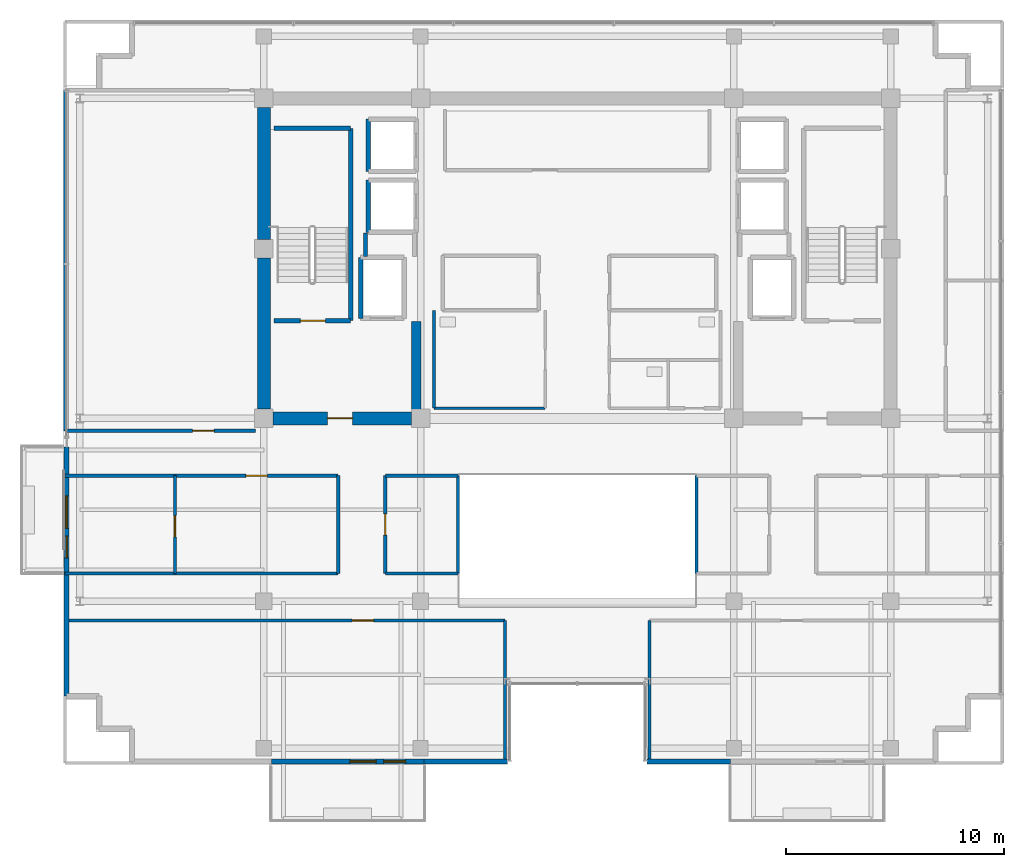
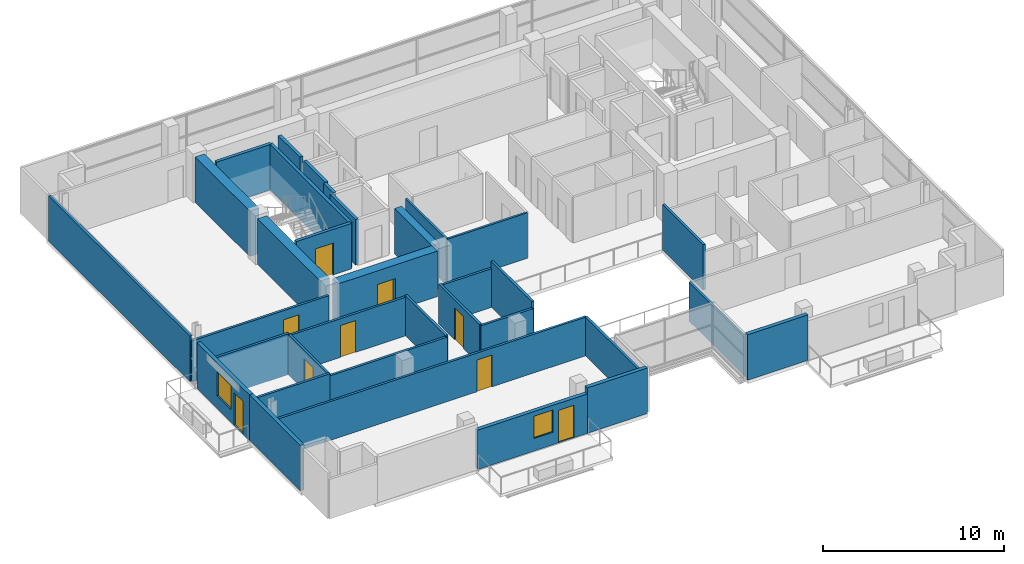
# One storey, part 15 of 22: 34 walls, 9 doors, 2 windows, 11 openings.
"""IFC4 building model written with IfcOpenShell, lengths in metres."""

from ifc_helpers import new_model, si_unit, direction, frame, frame_2d, origin, place, context, subcontext, project, spatial, rectangle, extrude, source, transform, mapped, material, layer, layer_set, type_object, element, fill, save


model = new_model("IFC4")

# Units and contexts
model_context = context("Model", 3, precision=1e-05, world=origin(), true_north=direction((0.0, 1.0)))
body_context = subcontext(model_context, "Body", "Model", "MODEL_VIEW")
ifc_project = project(units=[si_unit("LENGTHUNIT", "METRE"), si_unit("AREAUNIT", "SQUARE_METRE"), si_unit("VOLUMEUNIT", "CUBIC_METRE"), si_unit("PLANEANGLEUNIT", "RADIAN"), si_unit("MASSUNIT", "GRAM", prefix="KILO")], contexts=[model_context])

# Site, building, storey
site_placement = place(None, origin())
site = spatial("IfcSite", under=ifc_project, at=site_placement, CompositionType="ELEMENT")
building_placement = place(site_placement, origin())
building = spatial("IfcBuilding", under=site, at=building_placement, Name="Zarnakvel Exchange Tower", CompositionType="ELEMENT")
storey_placement = place(building_placement, frame((0.0, 0.0, 215.5)))
storey = spatial("IfcBuildingStorey", under=building, at=storey_placement, Name="L60", CompositionType="ELEMENT", Elevation=215.5)

# Walls
ifc_material_1 = material(Name="Concrete C50/60", Category="concrete")
ifc_layer_1 = layer(ifc_material_1, 0.60009765625)
ifc_layer_set_1 = layer_set([ifc_layer_1], Name="Concrete C50/60")
wall_type_1 = type_object("IfcWallType", Name="CW-C5", PredefinedType="SHEAR", material=ifc_layer_set_1)
wall_1_placement = place(storey_placement, frame((-14.39990234375, -0.77490234375, 0.0), z_axis=(0.0, 0.0, 1.0), x_axis=(0.0, 1.0, 0.0)))
element("IfcWall", 1, at=wall_1_placement, inside=storey, type_object=wall_type_1, Name="L60 Rear Core Shear Wall W1 (CW-C5)", PredefinedType="SHEAR", context=body_context, shape_type="SweptSolid", body=[
    extrude(rectangle(XDim=6.949951171875, YDim=0.60009765625, at=frame_2d((3.47509765625, 0.0))), origin(), (0.0, 0.0, 1.0), 3.074951171875),
])
wall_2_placement = place(storey_placement, frame((-14.39990234375, 7.02490234375, 0.0), z_axis=(0.0, 0.0, 1.0), x_axis=(0.0, 1.0, 0.0)))
element("IfcWall", 2, at=wall_2_placement, inside=storey, type_object=wall_type_1, Name="L60 Rear Core Shear Wall W2 (CW-C5)", PredefinedType="SHEAR", context=body_context, shape_type="SweptSolid", body=[
    extrude(rectangle(XDim=6.050048828125, YDim=0.60009765625, at=frame_2d((3.02490234375, 0.0))), origin(), (0.0, 0.0, 1.0), 3.074951171875),
])

# Wall, opening, door
wall_3_placement = place(storey_placement, frame((-7.625, -1.199951171875, 0.0), z_axis=(0.0, 0.0, 1.0), x_axis=(-1.0, 0.0, 0.0)))
wall_3 = element("IfcWall", 3, at=wall_3_placement, inside=storey, type_object=wall_type_1, Name="L60 Rear Core Shear Wall SW (CW-C5)", PredefinedType="SHEAR", context=body_context, shape_type="SweptSolid", body=[
    extrude(rectangle(XDim=6.35009765625, YDim=0.60009765625, at=frame_2d((3.175048828125, 0.0))), origin(), (0.0, 0.0, 1.0), 3.074951171875),
])
opening_1_placement = place(wall_3_placement, frame((2.699951171875, 0.0, 0.0)))
opening_1 = element("IfcOpeningElement", 4, at=opening_1_placement, cuts=wall_3, Name="Opening D-L60-03", PredefinedType="OPENING", context=body_context, shape_type="SweptSolid", body=[
    extrude(rectangle(XDim=1.14990234375, YDim=2.14990234375, at=frame_2d((0.574951171875, 1.074951171875))), frame((0.0, 0.31005859375, 0.0), z_axis=(0.0, -1.0, 0.0), x_axis=(1.0, 0.0, 0.0)), (0.0, 0.0, 1.0), 0.6201171875),
])
ifc_material_2 = material(Name="Painted Galvanised Steel S355", Category="steel")
door_type_1 = type_object("IfcDoorType", Name="DT-04", OperationType="NOTDEFINED", PredefinedType="DOOR", material=ifc_material_2)
shared_shape_1 = source(origin(), body_context, "Body", "SweptSolid", [
    extrude(rectangle(XDim=1.14990234375, YDim=2.14990234375, at=frame_2d((0.574951171875, 1.074951171875))), frame((0.0, 0.02490234375, 0.0), z_axis=(0.0, -1.0, 0.0), x_axis=(1.0, 0.0, 0.0)), (0.0, 0.0, 1.0), 0.050048828125),
])
door_1_placement = place(opening_1_placement, origin())
door_1 = element("IfcDoor", 5, at=door_1_placement, inside=storey, type_object=door_type_1, Name="L60 Firefighting Lobby West Door D-L60-03", OperationType="SINGLE_SWING_LEFT", OverallHeight=2.14990234375, OverallWidth=1.14990234375, PredefinedType="DOOR", context=body_context, shape_type="MappedRepresentation", body=[
    mapped(shared_shape_1, transform((0.0, 0.0, 0.0), x_axis=(1.0, 0.0, 0.0), y_axis=(0.0, 1.0, 0.0), z_axis=(0.0, 0.0, 1.0), scale=1.0)),
])
fill(opening_1, door_1)

# Wall
ifc_layer_2 = layer(ifc_material_1, 0.449951171875)
ifc_layer_set_2 = layer_set([ifc_layer_2], Name="Concrete C50/60")
wall_type_2 = type_object("IfcWallType", Name="CW-C6", PredefinedType="SHEAR", material=ifc_layer_set_2)
wall_4_placement = place(storey_placement, frame((-7.39990234375, -0.89990234375, 0.0), z_axis=(0.0, 0.0, 1.0), x_axis=(0.0, 1.0, 0.0)))
element("IfcWall", 6, at=wall_4_placement, inside=storey, type_object=wall_type_2, Name="L60 Rear Core Shear Wall IW (CW-C6)", PredefinedType="SHEAR", context=body_context, shape_type="SweptSolid", body=[
    extrude(rectangle(XDim=4.14990234375, YDim=0.449951171875, at=frame_2d((2.074951171875, 0.0))), origin(), (0.0, 0.0, 1.0), 3.074951171875),
])

# Wall, openings, door, window
ifc_material_3 = material(Name="Precast concrete C40/50", Category="concrete")
ifc_layer_3 = layer(ifc_material_3, 0.239990234375)
ifc_layer_set_3 = layer_set([ifc_layer_3], Name="Precast concrete C40/50")
wall_type_3 = type_object("IfcWallType", Name="EW-02", PredefinedType="SOLIDWALL", material=ifc_layer_set_3)
wall_5_placement = place(storey_placement, frame((-7.050048828125, -16.9599609375, 0.0), z_axis=(0.0, 0.0, 1.0), x_axis=(-1.0, 0.0, 0.0)))
wall_5 = element("IfcWall", 7, at=wall_5_placement, inside=storey, type_object=wall_type_3, Name="L60 Exterior Precast Spandrel Wall EW-BAL-L60-SW (EW-02)", PredefinedType="SOLIDWALL", context=body_context, shape_type="SweptSolid", body=[
    extrude(rectangle(XDim=7.0, YDim=0.239990234375, at=frame_2d((3.5, 0.0))), origin(), (0.0, 0.0, 1.0), 2.6650390625),
])
opening_2_placement = place(wall_5_placement, frame((0.840087890625, 0.0, 0.0)))
opening_2 = element("IfcOpeningElement", 8, at=opening_2_placement, cuts=wall_5, Name="Opening BD-L60-01", PredefinedType="OPENING", context=body_context, shape_type="SweptSolid", body=[
    extrude(rectangle(XDim=1.0, YDim=2.199951171875, at=frame_2d((0.5, 1.10009765625))), frame((0.0, 0.1298828125, 0.0), z_axis=(0.0, -1.0, 0.0), x_axis=(1.0, 0.0, 0.0)), (0.0, 0.0, 1.0), 0.260009765625),
])
opening_3_placement = place(wall_5_placement, frame((2.18994140625, 0.0, 0.85009765625)))
opening_3 = element("IfcOpeningElement", 9, at=opening_3_placement, cuts=wall_5, Name="Opening WN-04", PredefinedType="OPENING", context=body_context, shape_type="SweptSolid", body=[
    extrude(rectangle(XDim=1.199951171875, YDim=1.5, at=frame_2d((0.60009765625, 0.75))), frame((0.0, 0.1298828125, 0.0), z_axis=(0.0, -1.0, 0.0), x_axis=(1.0, 0.0, 0.0)), (0.0, 0.0, 1.0), 0.260009765625),
])
ifc_material_4 = material(Name="Architectural Bronze Anodised Aluminium", Category="aluminium")
door_type_2 = type_object("IfcDoorType", Name="DT-09", OperationType="NOTDEFINED", PredefinedType="DOOR", material=ifc_material_4)
shared_shape_2 = source(origin(), body_context, "Body", "SweptSolid", [
    extrude(rectangle(XDim=1.0, YDim=2.199951171875, at=frame_2d((0.5, 1.10009765625))), frame((0.0, 0.02490234375, 0.0), z_axis=(0.0, -1.0, 0.0), x_axis=(1.0, 0.0, 0.0)), (0.0, 0.0, 1.0), 0.050048828125),
])
door_2_placement = place(opening_2_placement, origin())
door_2 = element("IfcDoor", 10, at=door_2_placement, inside=storey, type_object=door_type_2, Name="L60 Planted Loggia Balcony Door BD-L60-01", OperationType="SINGLE_SWING_RIGHT", OverallHeight=2.199951171875, OverallWidth=1.0, PredefinedType="DOOR", context=body_context, shape_type="MappedRepresentation", body=[
    mapped(shared_shape_2, transform((0.0, 0.0, 0.0), x_axis=(1.0, 0.0, 0.0), y_axis=(0.0, 1.0, 0.0), z_axis=(0.0, 0.0, 1.0), scale=1.0)),
])
fill(opening_2, door_2)
ifc_material_5 = material(Name="Double Low-E Laminated Vision Glass", Category="glass")
window_type_1 = type_object("IfcWindowType", Name="WN-04", PartitioningType="SINGLE_PANEL", PredefinedType="WINDOW", material=ifc_material_5)
shared_shape_3 = source(origin(), body_context, "Body", "SweptSolid", [
    extrude(rectangle(XDim=1.199951171875, YDim=1.5, at=frame_2d((0.60009765625, 0.75))), frame((0.0, 0.030029296875, 0.0), z_axis=(0.0, -1.0, 0.0), x_axis=(1.0, 0.0, 0.0)), (0.0, 0.0, 1.0), 0.06005859375),
])
window_1_placement = place(opening_3_placement, origin())
window_1 = element("IfcWindow", 11, at=window_1_placement, inside=storey, type_object=window_type_1, Name="L60 Loggia Daylight Window (WN-04)", OverallHeight=1.5, OverallWidth=1.199951171875, PartitioningType="SINGLE_PANEL", PredefinedType="WINDOW", context=body_context, shape_type="MappedRepresentation", body=[
    mapped(shared_shape_3, transform((0.0, 0.0, 0.0), x_axis=(1.0, 0.0, 0.0), y_axis=(0.0, 1.0, 0.0), z_axis=(0.0, 0.0, 1.0), scale=1.0)),
])
fill(opening_3, window_1)

wall_6_placement = place(storey_placement, frame((-23.4599609375, -8.300048828125, 0.0), z_axis=(0.0, 0.0, 1.0), x_axis=(0.0, 1.0, 0.0)))
wall_6 = element("IfcWall", 12, at=wall_6_placement, inside=storey, type_object=wall_type_3, Name="L60 Exterior Precast Spandrel Wall EW-BAL-L60-W (EW-02)", PredefinedType="SOLIDWALL", context=body_context, shape_type="SweptSolid", body=[
    extrude(rectangle(XDim=5.800048828125, YDim=0.239990234375, at=frame_2d((2.89990234375, 0.0))), origin(), (0.0, 0.0, 1.0), 3.074951171875),
])
opening_4_placement = place(wall_6_placement, frame((0.696044921875, 0.0, 0.0)))
opening_4 = element("IfcOpeningElement", 13, at=opening_4_placement, cuts=wall_6, Name="Opening BD-L60-03", PredefinedType="OPENING", context=body_context, shape_type="SweptSolid", body=[
    extrude(rectangle(XDim=1.0, YDim=2.199951171875, at=frame_2d((0.5, 1.10009765625))), frame((0.0, 0.1298828125, 0.0), z_axis=(0.0, -1.0, 0.0), x_axis=(1.0, 0.0, 0.0)), (0.0, 0.0, 1.0), 0.260009765625),
])
opening_5_placement = place(wall_6_placement, frame((2.0458984375, 0.0, 0.85009765625)))
opening_5 = element("IfcOpeningElement", 14, at=opening_5_placement, cuts=wall_6, Name="Opening WN-03", PredefinedType="OPENING", context=body_context, shape_type="SweptSolid", body=[
    extrude(rectangle(XDim=1.5, YDim=1.60009765625, at=frame_2d((0.75, 0.800048828125))), frame((0.0, 0.1298828125, 0.0), z_axis=(0.0, -1.0, 0.0), x_axis=(1.0, 0.0, 0.0)), (0.0, 0.0, 1.0), 0.260009765625),
])
door_3_placement = place(opening_4_placement, origin())
door_3 = element("IfcDoor", 15, at=door_3_placement, inside=storey, type_object=door_type_2, Name="L60 Planted Loggia Balcony Door BD-L60-03", OperationType="SINGLE_SWING_RIGHT", OverallHeight=2.199951171875, OverallWidth=1.0, PredefinedType="DOOR", context=body_context, shape_type="MappedRepresentation", body=[
    mapped(shared_shape_2, transform((0.0, 0.0, 0.0), x_axis=(1.0, 0.0, 0.0), y_axis=(0.0, 1.0, 0.0), z_axis=(0.0, 0.0, 1.0), scale=1.0)),
])
fill(opening_4, door_3)
window_type_2 = type_object("IfcWindowType", Name="WN-03", PartitioningType="SINGLE_PANEL", PredefinedType="WINDOW", material=ifc_material_5)
shared_shape_4 = source(origin(), body_context, "Body", "SweptSolid", [
    extrude(rectangle(XDim=1.5, YDim=1.60009765625, at=frame_2d((0.75, 0.800048828125))), frame((0.0, 0.030029296875, 0.0), z_axis=(0.0, -1.0, 0.0), x_axis=(1.0, 0.0, 0.0)), (0.0, 0.0, 1.0), 0.06005859375),
])
window_2_placement = place(opening_5_placement, origin())
window_2 = element("IfcWindow", 16, at=window_2_placement, inside=storey, type_object=window_type_2, Name="L60 Loggia Daylight Window (WN-03)", OverallHeight=1.60009765625, OverallWidth=1.5, PartitioningType="SINGLE_PANEL", PredefinedType="WINDOW", context=body_context, shape_type="MappedRepresentation", body=[
    mapped(shared_shape_4, transform((0.0, 0.0, 0.0), x_axis=(1.0, 0.0, 0.0), y_axis=(0.0, 1.0, 0.0), z_axis=(0.0, 0.0, 1.0), scale=1.0)),
])
fill(opening_5, window_2)

# Walls
wall_7_placement = place(storey_placement, frame((-23.4599609375, -8.300048828125, 0.0), z_axis=(0.0, 0.0, 1.0), x_axis=(0.0, -1.0, 0.0)))
element("IfcWall", 17, at=wall_7_placement, inside=storey, type_object=wall_type_3, Name="L60 Exterior Precast Spandrel Wall EWC-L60-01 (EW-02)", PredefinedType="SOLIDWALL", context=body_context, shape_type="SweptSolid", body=[
    extrude(rectangle(XDim=5.659912109375, YDim=0.239990234375, at=frame_2d((2.830078125, 0.0))), origin(), (0.0, 0.0, 1.0), 3.074951171875),
])
for number, where, z_axis, x_axis, name in (
    (18, (3.199951171875, -16.9599609375, 0.0), (0.0, 0.0, 1.0), (1.0, 0.0, 0.0), "L60 Exterior Precast Spandrel Wall EWC-L60-16 (EW-02)"),
    (19, (-7.050048828125, -16.9599609375, 0.0), (0.0, 0.0, 1.0), (1.0, 0.0, 0.0), "L60 Exterior Precast Spandrel Wall EWC-L60-21 (EW-02)"),
):
    element("IfcWall", number, at=place(storey_placement, frame(where, z_axis=z_axis, x_axis=x_axis)), inside=storey, type_object=wall_type_3, Name=name, PredefinedType="SOLIDWALL", context=body_context, shape_type="SweptSolid", body=[
        extrude(rectangle(XDim=3.85009765625, YDim=0.239990234375, at=frame_2d((1.925048828125, 0.0))), origin(), (0.0, 0.0, 1.0), 3.074951171875),
    ])
ifc_material_6 = material(Name="Fire-Rated Gypsum Stud Partition", Category="gypsum")
ifc_layer_4 = layer(ifc_material_6, 0.14990234375)
ifc_layer_set_4 = layer_set([ifc_layer_4], Name="Fire-Rated Gypsum Stud Partition")
wall_type_4 = type_object("IfcWallType", Name="PT-01", PredefinedType="PARTITIONING", material=ifc_layer_set_4)
for number, where, z_axis, x_axis, name in (
    (20, (-18.47802734375, -8.320068359375, 0.0), (0.0, 0.0, 1.0), (-1.0, 0.0, 0.0), "L60 Partition Wall PWALL-L60-033 (PT-01)"),
    (21, (-23.530029296875, -3.830078125, 0.0), (0.0, 0.0, 1.0), (1.0, 0.0, 0.0), "L60 Partition Wall PWALL-L60-034 (PT-01)"),
):
    element("IfcWall", number, at=place(storey_placement, frame(where, z_axis=z_axis, x_axis=x_axis)), inside=storey, type_object=wall_type_4, Name=name, PredefinedType="PARTITIONING", context=body_context, shape_type="SweptSolid", body=[
        extrude(rectangle(XDim=5.052001953125, YDim=0.14990234375, at=frame_2d((2.52587890625, 0.0))), origin(), (0.0, 0.0, 1.0), 2.764892578125),
    ])

# Wall, opening, door
wall_8_placement = place(storey_placement, frame((-18.47802734375, -3.830078125, 0.0), z_axis=(0.0, 0.0, 1.0), x_axis=(0.0, -1.0, 0.0)))
wall_8 = element("IfcWall", 22, at=wall_8_placement, inside=storey, type_object=wall_type_4, Name="L60 Partition Wall PWALL-L60-036 (PT-01)", PredefinedType="PARTITIONING", context=body_context, shape_type="SweptSolid", body=[
    extrude(rectangle(XDim=4.489990234375, YDim=0.14990234375, at=frame_2d((2.2451171875, 0.0))), origin(), (0.0, 0.0, 1.0), 2.705078125),
])
opening_6_placement = place(wall_8_placement, frame((1.8349609375, 0.0, 0.0)))
opening_6 = element("IfcOpeningElement", 23, at=opening_6_placement, cuts=wall_8, Name="Opening D-L60-12", PredefinedType="OPENING", context=body_context, shape_type="SweptSolid", body=[
    extrude(rectangle(XDim=0.97998046875, YDim=2.14990234375, at=frame_2d((0.489990234375, 1.074951171875))), frame((0.0, 0.0849609375, 0.0), z_axis=(0.0, -1.0, 0.0), x_axis=(1.0, 0.0, 0.0)), (0.0, 0.0, 1.0), 0.169921875),
])
ifc_material_7 = material(Name="Timber Acoustic Veneer", Category="wood")
door_type_3 = type_object("IfcDoorType", Name="DT-05", OperationType="NOTDEFINED", PredefinedType="DOOR", material=ifc_material_7)
shared_shape_5 = source(origin(), body_context, "Body", "SweptSolid", [
    extrude(rectangle(XDim=0.97998046875, YDim=2.14990234375, at=frame_2d((0.489990234375, 1.074951171875))), frame((0.0, 0.02490234375, 0.0), z_axis=(0.0, -1.0, 0.0), x_axis=(1.0, 0.0, 0.0)), (0.0, 0.0, 1.0), 0.050048828125),
])
door_4_placement = place(opening_6_placement, origin())
door_4 = element("IfcDoor", 24, at=door_4_placement, inside=storey, type_object=door_type_3, Name="L60 Institutional Dealing Room Door D-L60-12", OperationType="SINGLE_SWING_RIGHT", OverallHeight=2.14990234375, OverallWidth=0.97998046875, PredefinedType="DOOR", context=body_context, shape_type="MappedRepresentation", body=[
    mapped(shared_shape_5, transform((0.0, 0.0, 0.0), x_axis=(1.0, 0.0, 0.0), y_axis=(0.0, 1.0, 0.0), z_axis=(0.0, 0.0, 1.0), scale=1.0)),
])
fill(opening_6, door_4)

# Wall
wall_9_placement = place(storey_placement, frame((-10.97998046875, -8.320068359375, 0.0), z_axis=(0.0, 0.0, 1.0), x_axis=(-1.0, 0.0, 0.0)))
element("IfcWall", 25, at=wall_9_placement, inside=storey, type_object=wall_type_4, Name="L60 Partition Wall PWALL-L60-037 (PT-01)", PredefinedType="PARTITIONING", context=body_context, shape_type="SweptSolid", body=[
    extrude(rectangle(XDim=7.498046875, YDim=0.14990234375, at=frame_2d((3.7490234375, 0.0))), origin(), (0.0, 0.0, 1.0), 2.614990234375),
])

# Wall, opening, door
wall_10_placement = place(storey_placement, frame((-18.47802734375, -3.830078125, 0.0), z_axis=(0.0, 0.0, 1.0), x_axis=(1.0, 0.0, 0.0)))
wall_10 = element("IfcWall", 26, at=wall_10_placement, inside=storey, type_object=wall_type_4, Name="L60 Partition Wall PWALL-L60-038 (PT-01)", PredefinedType="PARTITIONING", context=body_context, shape_type="SweptSolid", body=[
    extrude(rectangle(XDim=7.498046875, YDim=0.14990234375, at=frame_2d((3.7490234375, 0.0))), origin(), (0.0, 0.0, 1.0), 2.614990234375),
])
opening_7_placement = place(wall_10_placement, frame((3.259033203125, 0.0, 0.0)))
opening_7 = element("IfcOpeningElement", 27, at=opening_7_placement, cuts=wall_10, Name="Opening D-L60-13", PredefinedType="OPENING", context=body_context, shape_type="SweptSolid", body=[
    extrude(rectangle(XDim=0.97998046875, YDim=2.14990234375, at=frame_2d((0.489990234375, 1.074951171875))), frame((0.0, 0.0849609375, 0.0), z_axis=(0.0, -1.0, 0.0), x_axis=(1.0, 0.0, 0.0)), (0.0, 0.0, 1.0), 0.169921875),
])
door_5_placement = place(opening_7_placement, origin())
door_5 = element("IfcDoor", 28, at=door_5_placement, inside=storey, type_object=door_type_3, Name="L60 Clearing Office Door D-L60-13", OperationType="SINGLE_SWING_LEFT", OverallHeight=2.14990234375, OverallWidth=0.97998046875, PredefinedType="DOOR", context=body_context, shape_type="MappedRepresentation", body=[
    mapped(shared_shape_5, transform((0.0, 0.0, 0.0), x_axis=(1.0, 0.0, 0.0), y_axis=(0.0, 1.0, 0.0), z_axis=(0.0, 0.0, 1.0), scale=1.0)),
])
fill(opening_7, door_5)

# Wall
wall_11_placement = place(storey_placement, frame((-10.97998046875, -3.830078125, 0.0), z_axis=(0.0, 0.0, 1.0), x_axis=(0.0, -1.0, 0.0)))
element("IfcWall", 29, at=wall_11_placement, inside=storey, type_object=wall_type_4, Name="L60 Partition Wall PWALL-L60-039 (PT-01)", PredefinedType="PARTITIONING", context=body_context, shape_type="SweptSolid", body=[
    extrude(rectangle(XDim=4.489990234375, YDim=0.14990234375, at=frame_2d((2.2451171875, 0.0))), origin(), (0.0, 0.0, 1.0), 2.705078125),
])

# Wall, opening, door
wall_12_placement = place(storey_placement, frame((-23.530029296875, -10.47998046875, 0.0), z_axis=(0.0, 0.0, 1.0), x_axis=(1.0, 0.0, 0.0)))
wall_12 = element("IfcWall", 30, at=wall_12_placement, inside=storey, type_object=wall_type_4, Name="L60 Partition Wall PWALL-L60-041 (PT-01)", PredefinedType="PARTITIONING", context=body_context, shape_type="SweptSolid", body=[
    extrude(rectangle(XDim=20.2099609375, YDim=0.14990234375, at=frame_2d((10.10498046875, 0.0))), origin(), (0.0, 0.0, 1.0), 2.614990234375),
])
opening_8_placement = place(wall_12_placement, frame((13.18994140625, 0.0, 0.0)))
opening_8 = element("IfcOpeningElement", 31, at=opening_8_placement, cuts=wall_12, Name="Opening D-L60-14", PredefinedType="OPENING", context=body_context, shape_type="SweptSolid", body=[
    extrude(rectangle(XDim=0.97998046875, YDim=2.14990234375, at=frame_2d((0.489990234375, 1.074951171875))), frame((0.0, 0.0849609375, 0.0), z_axis=(0.0, -1.0, 0.0), x_axis=(1.0, 0.0, 0.0)), (0.0, 0.0, 1.0), 0.169921875),
])
door_6_placement = place(opening_8_placement, origin())
door_6 = element("IfcDoor", 32, at=door_6_placement, inside=storey, type_object=door_type_3, Name="L60 Institutional Dealing Room Door D-L60-14", OperationType="SINGLE_SWING_RIGHT", OverallHeight=2.14990234375, OverallWidth=0.97998046875, PredefinedType="DOOR", context=body_context, shape_type="MappedRepresentation", body=[
    mapped(shared_shape_5, transform((0.0, 0.0, 0.0), x_axis=(1.0, 0.0, 0.0), y_axis=(0.0, 1.0, 0.0), z_axis=(0.0, 0.0, 1.0), scale=1.0)),
])
fill(opening_8, door_6)

# Walls
for number, where, z_axis, x_axis, name in (
    (33, (-3.320068359375, -10.47998046875, 0.0), (0.0, 0.0, 1.0), (0.0, -1.0, 0.0), "L60 Partition Wall PWALL-L60-043 (PT-01)"),
    (34, (3.320068359375, -17.030029296875, 0.0), (0.0, 0.0, 1.0), (0.0, 1.0, 0.0), "L60 Partition Wall PWALL-L60-053 (PT-01)"),
):
    element("IfcWall", number, at=place(storey_placement, frame(where, z_axis=z_axis, x_axis=x_axis)), inside=storey, type_object=wall_type_4, Name=name, PredefinedType="PARTITIONING", context=body_context, shape_type="SweptSolid", body=[
        extrude(rectangle(XDim=6.550048828125, YDim=0.14990234375, at=frame_2d((3.27490234375, 0.0))), origin(), (0.0, 0.0, 1.0), 2.614990234375),
    ])
for number, where, z_axis, x_axis, name in (
    (35, (-5.47998046875, -8.320068359375, 0.0), (0.0, 0.0, 1.0), (-1.0, 0.0, 0.0), "L60 Partition Wall PWALL-L60-055 (PT-01)"),
    (36, (-8.820068359375, -3.830078125, 0.0), (0.0, 0.0, 1.0), (1.0, 0.0, 0.0), "L60 Partition Wall PWALL-L60-056 (PT-01)"),
):
    element("IfcWall", number, at=place(storey_placement, frame(where, z_axis=z_axis, x_axis=x_axis)), inside=storey, type_object=wall_type_4, Name=name, PredefinedType="PARTITIONING", context=body_context, shape_type="SweptSolid", body=[
        extrude(rectangle(XDim=3.340087890625, YDim=0.14990234375, at=frame_2d((1.669921875, 0.0))), origin(), (0.0, 0.0, 1.0), 2.614990234375),
    ])

# Wall, opening, door
wall_13_placement = place(storey_placement, frame((-8.820068359375, -8.320068359375, 0.0), z_axis=(0.0, 0.0, 1.0), x_axis=(0.0, 1.0, 0.0)))
wall_13 = element("IfcWall", 37, at=wall_13_placement, inside=storey, type_object=wall_type_4, Name="L60 Partition Wall PWALL-L60-057 (PT-01)", PredefinedType="PARTITIONING", context=body_context, shape_type="SweptSolid", body=[
    extrude(rectangle(XDim=4.489990234375, YDim=0.14990234375, at=frame_2d((2.2451171875, 0.0))), origin(), (0.0, 0.0, 1.0), 2.705078125),
])
opening_9_placement = place(wall_13_placement, frame((1.7548828125, 0.0, 0.0)))
opening_9 = element("IfcOpeningElement", 38, at=opening_9_placement, cuts=wall_13, Name="Opening D-L60-18", PredefinedType="OPENING", context=body_context, shape_type="SweptSolid", body=[
    extrude(rectangle(XDim=0.97998046875, YDim=2.14990234375, at=frame_2d((0.489990234375, 1.074951171875))), frame((0.0, 0.0849609375, 0.0), z_axis=(0.0, -1.0, 0.0), x_axis=(1.0, 0.0, 0.0)), (0.0, 0.0, 1.0), 0.169921875),
])
door_7_placement = place(opening_9_placement, origin())
door_7 = element("IfcDoor", 39, at=door_7_placement, inside=storey, type_object=door_type_3, Name="L60 Breakout Pantry Door D-L60-18", OperationType="SINGLE_SWING_RIGHT", OverallHeight=2.14990234375, OverallWidth=0.97998046875, PredefinedType="DOOR", context=body_context, shape_type="MappedRepresentation", body=[
    mapped(shared_shape_5, transform((0.0, 0.0, 0.0), x_axis=(1.0, 0.0, 0.0), y_axis=(0.0, 1.0, 0.0), z_axis=(0.0, 0.0, 1.0), scale=1.0)),
])
fill(opening_9, door_7)

# Walls
for number, where, z_axis, x_axis, name in (
    (40, (-5.47998046875, -3.830078125, 0.0), (0.0, 0.0, 1.0), (0.0, -1.0, 0.0), "L60 Partition Wall PWALL-L60-058 (PT-01)"),
    (41, (5.47998046875, -8.320068359375, 0.0), (0.0, 0.0, 1.0), (0.0, 1.0, 0.0), "L60 Partition Wall PWALL-L60-061 (PT-01)"),
):
    element("IfcWall", number, at=place(storey_placement, frame(where, z_axis=z_axis, x_axis=x_axis)), inside=storey, type_object=wall_type_4, Name=name, PredefinedType="PARTITIONING", context=body_context, shape_type="SweptSolid", body=[
        extrude(rectangle(XDim=4.489990234375, YDim=0.14990234375, at=frame_2d((2.2451171875, 0.0))), origin(), (0.0, 0.0, 1.0), 3.074951171875),
    ])

# Wall, opening, door
wall_14_placement = place(storey_placement, frame((-14.77001953125, -1.77001953125, 0.0), z_axis=(0.0, 0.0, 1.0), x_axis=(-1.0, 0.0, 0.0)))
wall_14 = element("IfcWall", 42, at=wall_14_placement, inside=storey, type_object=wall_type_4, Name="L60 Partition Wall PWALL-L60-063 (PT-01)", PredefinedType="PARTITIONING", context=body_context, shape_type="SweptSolid", body=[
    extrude(rectangle(XDim=8.760009765625, YDim=0.14990234375, at=frame_2d((4.3798828125, 0.0))), origin(), (0.0, 0.0, 1.0), 2.764892578125),
])
opening_10_placement = place(wall_14_placement, frame((1.9150390625, 0.0, 0.0)))
opening_10 = element("IfcOpeningElement", 43, at=opening_10_placement, cuts=wall_14, Name="Opening D-L60-20", PredefinedType="OPENING", context=body_context, shape_type="SweptSolid", body=[
    extrude(rectangle(XDim=0.97998046875, YDim=2.14990234375, at=frame_2d((0.489990234375, 1.074951171875))), frame((0.0, 0.0849609375, 0.0), z_axis=(0.0, -1.0, 0.0), x_axis=(1.0, 0.0, 0.0)), (0.0, 0.0, 1.0), 0.169921875),
])
door_8_placement = place(opening_10_placement, origin())
door_8 = element("IfcDoor", 44, at=door_8_placement, inside=storey, type_object=door_type_3, Name="L60 Meeting Room Door D-L60-20", OperationType="SINGLE_SWING_RIGHT", OverallHeight=2.14990234375, OverallWidth=0.97998046875, PredefinedType="DOOR", context=body_context, shape_type="MappedRepresentation", body=[
    mapped(shared_shape_5, transform((0.0, 0.0, 0.0), x_axis=(1.0, 0.0, 0.0), y_axis=(0.0, 1.0, 0.0), z_axis=(0.0, 0.0, 1.0), scale=1.0)),
])
fill(opening_10, door_8)

# Walls
wall_15_placement = place(storey_placement, frame((-23.530029296875, -1.77001953125, 0.0), z_axis=(0.0, 0.0, 1.0), x_axis=(0.0, 1.0, 0.0)))
element("IfcWall", 45, at=wall_15_placement, inside=storey, type_object=wall_type_4, Name="L60 Partition Wall PWALL-L60-065 (PT-01)", PredefinedType="PARTITIONING", context=body_context, shape_type="SweptSolid", body=[
    extrude(rectangle(XDim=15.64990234375, YDim=0.14990234375, at=frame_2d((7.824951171875, 0.0))), origin(), (0.0, 0.0, 1.0), 3.074951171875),
])
ifc_layer_5 = layer(ifc_material_6, 0.179931640625)
ifc_layer_set_5 = layer_set([ifc_layer_5], Name="Fire-Rated Gypsum Stud Partition")
wall_type_5 = type_object("IfcWallType", Name="PT-02", PredefinedType="PARTITIONING", material=ifc_layer_set_5)
wall_16_placement = place(storey_placement, frame((-9.72998046875, 6.239990234375, 0.0), z_axis=(0.0, 0.0, 1.0), x_axis=(0.0, 1.0, 0.0)))
element("IfcWall", 46, at=wall_16_placement, inside=storey, type_object=wall_type_5, Name="L60 Partition Wall PWALL-L60-007 (PT-02)", PredefinedType="PARTITIONING", context=body_context, shape_type="SweptSolid", body=[
    extrude(rectangle(XDim=1.090087890625, YDim=0.179931640625, at=frame_2d((0.544921875, 0.0))), origin(), (0.0, 0.0, 1.0), 3.074951171875),
])
ifc_material_8 = material(Name="Moisture-Resistant Tile-Faced Partition", Category="gypsum")
ifc_layer_6 = layer(ifc_material_8, 0.135009765625)
ifc_layer_set_6 = layer_set([ifc_layer_6], Name="Moisture-Resistant Tile-Faced Partition")
wall_type_6 = type_object("IfcWallType", Name="PT-03", PredefinedType="PARTITIONING", material=ifc_layer_set_6)
wall_17_placement = place(storey_placement, frame((-1.469970703125, -0.72998046875, 0.0), z_axis=(0.0, 0.0, 1.0), x_axis=(-1.0, 0.0, 0.0)))
element("IfcWall", 47, at=wall_17_placement, inside=storey, type_object=wall_type_6, Name="L60 Partition Wall PWALL-L60-022 (PT-03)", PredefinedType="PARTITIONING", context=body_context, shape_type="SweptSolid", body=[
    extrude(rectangle(XDim=5.110107421875, YDim=0.135009765625, at=frame_2d((2.55517578125, 0.0))), origin(), (0.0, 0.0, 1.0), 3.074951171875),
])
wall_18_placement = place(storey_placement, frame((-6.580078125, -0.72998046875, 0.0), z_axis=(0.0, 0.0, 1.0), x_axis=(0.0, 1.0, 0.0)))
element("IfcWall", 48, at=wall_18_placement, inside=storey, type_object=wall_type_6, Name="L60 Partition Wall PWALL-L60-023 (PT-03)", PredefinedType="PARTITIONING", context=body_context, shape_type="SweptSolid", body=[
    extrude(rectangle(XDim=4.489990234375, YDim=0.135009765625, at=frame_2d((2.2451171875, 0.0))), origin(), (0.0, 0.0, 1.0), 3.074951171875),
])
ifc_material_9 = material(Name="Concrete C40/50", Category="concrete")
ifc_layer_7 = layer(ifc_material_9, 0.199951171875)
ifc_layer_set_7 = layer_set([ifc_layer_7], Name="Concrete C40/50")
wall_type_7 = type_object("IfcWallType", Name="SW-01", PredefinedType="SOLIDWALL", material=ifc_layer_set_7)
wall_19_placement = place(storey_placement, frame((-9.949951171875, 3.39990234375, 0.0), z_axis=(0.0, 0.0, 1.0), x_axis=(0.0, 1.0, 0.0)))
element("IfcWall", 49, at=wall_19_placement, inside=storey, type_object=wall_type_7, Name="L60 FL-01 Hoistway Wall West", PredefinedType="SOLIDWALL", context=body_context, shape_type="SweptSolid", body=[
    extrude(rectangle(XDim=2.800048828125, YDim=0.199951171875, at=frame_2d((1.39990234375, 0.0))), origin(), (0.0, 0.0, 1.0), 3.074951171875),
])
wall_20_placement = place(storey_placement, frame((-9.60009765625, 7.35009765625, 0.0), z_axis=(0.0, 0.0, 1.0), x_axis=(0.0, 1.0, 0.0)))
element("IfcWall", 50, at=wall_20_placement, inside=storey, type_object=wall_type_7, Name="L60 PL-09 Hoistway Wall West", PredefinedType="SOLIDWALL", context=body_context, shape_type="SweptSolid", body=[
    extrude(rectangle(XDim=2.39990234375, YDim=0.199951171875, at=frame_2d((1.199951171875, 0.0))), origin(), (0.0, 0.0, 1.0), 3.074951171875),
])
wall_21_placement = place(storey_placement, frame((-9.60009765625, 10.14990234375, 0.0), z_axis=(0.0, 0.0, 1.0), x_axis=(0.0, 1.0, 0.0)))
element("IfcWall", 51, at=wall_21_placement, inside=storey, type_object=wall_type_7, Name="L60 PL-10 Hoistway Wall West", PredefinedType="SOLIDWALL", context=body_context, shape_type="SweptSolid", body=[
    extrude(rectangle(XDim=2.400146484375, YDim=0.199951171875, at=frame_2d((1.2001953125, 0.0))), origin(), (0.0, 0.0, 1.0), 3.074951171875),
])

# Wall, opening, door
ifc_layer_8 = layer(ifc_material_9, 0.199951171875)
ifc_layer_set_8 = layer_set([ifc_layer_8], Name="Concrete C40/50")
wall_type_8 = type_object("IfcWallType", Name="SW-02", PredefinedType="SOLIDWALL", material=ifc_layer_set_8)
wall_22_placement = place(storey_placement, frame((-10.409912109375, 3.2900390625, 0.0), z_axis=(0.0, 0.0, 1.0), x_axis=(-1.0, 0.0, 0.0)))
wall_22 = element("IfcWall", 52, at=wall_22_placement, inside=storey, type_object=wall_type_8, Name="L60 Stairwell Core Wall PWALL-L60-001 (SW-02)", PredefinedType="SOLIDWALL", context=body_context, shape_type="SweptSolid", body=[
    extrude(rectangle(XDim=3.52001953125, YDim=0.199951171875, at=frame_2d((1.760009765625, 0.0))), origin(), (0.0, 0.0, 1.0), 3.074951171875),
])
opening_11_placement = place(wall_22_placement, frame((1.1650390625, 0.0, 0.0)))
opening_11 = element("IfcOpeningElement", 53, at=opening_11_placement, cuts=wall_22, Name="Opening D-L60-01", PredefinedType="OPENING", context=body_context, shape_type="SweptSolid", body=[
    extrude(rectangle(XDim=1.14990234375, YDim=2.14990234375, at=frame_2d((0.574951171875, 1.074951171875))), frame((0.0, 0.10986328125, 0.0), z_axis=(0.0, -1.0, 0.0), x_axis=(1.0, 0.0, 0.0)), (0.0, 0.0, 1.0), 0.219970703125),
])
door_9_placement = place(opening_11_placement, origin())
door_9 = element("IfcDoor", 54, at=door_9_placement, inside=storey, type_object=door_type_1, Name="L60 Stairwell ST-01 Door D-L60-01", OperationType="SINGLE_SWING_LEFT", OverallHeight=2.14990234375, OverallWidth=1.14990234375, PredefinedType="DOOR", context=body_context, shape_type="MappedRepresentation", body=[
    mapped(shared_shape_1, transform((0.0, 0.0, 0.0), x_axis=(1.0, 0.0, 0.0), y_axis=(0.0, 1.0, 0.0), z_axis=(0.0, 0.0, 1.0), scale=1.0)),
])
fill(opening_11, door_9)

# Walls
wall_23_placement = place(storey_placement, frame((-13.929931640625, 12.1298828125, 0.0), z_axis=(0.0, 0.0, 1.0), x_axis=(1.0, 0.0, 0.0)))
element("IfcWall", 55, at=wall_23_placement, inside=storey, type_object=wall_type_8, Name="L60 Stairwell Core Wall PWALL-L60-002 (SW-02)", PredefinedType="SOLIDWALL", context=body_context, shape_type="SweptSolid", body=[
    extrude(rectangle(XDim=3.52001953125, YDim=0.199951171875, at=frame_2d((1.760009765625, 0.0))), origin(), (0.0, 0.0, 1.0), 3.074951171875),
])
wall_24_placement = place(storey_placement, frame((-10.409912109375, 12.1298828125, 0.0), z_axis=(0.0, 0.0, 1.0), x_axis=(0.0, -1.0, 0.0)))
element("IfcWall", 56, at=wall_24_placement, inside=storey, type_object=wall_type_8, Name="L60 Stairwell Core Wall PWALL-L60-003 (SW-02)", PredefinedType="SOLIDWALL", context=body_context, shape_type="SweptSolid", body=[
    extrude(rectangle(XDim=8.83984375, YDim=0.199951171875, at=frame_2d((4.419921875, 0.0))), origin(), (0.0, 0.0, 1.0), 3.074951171875),
])

save(model, "model.ifc")
